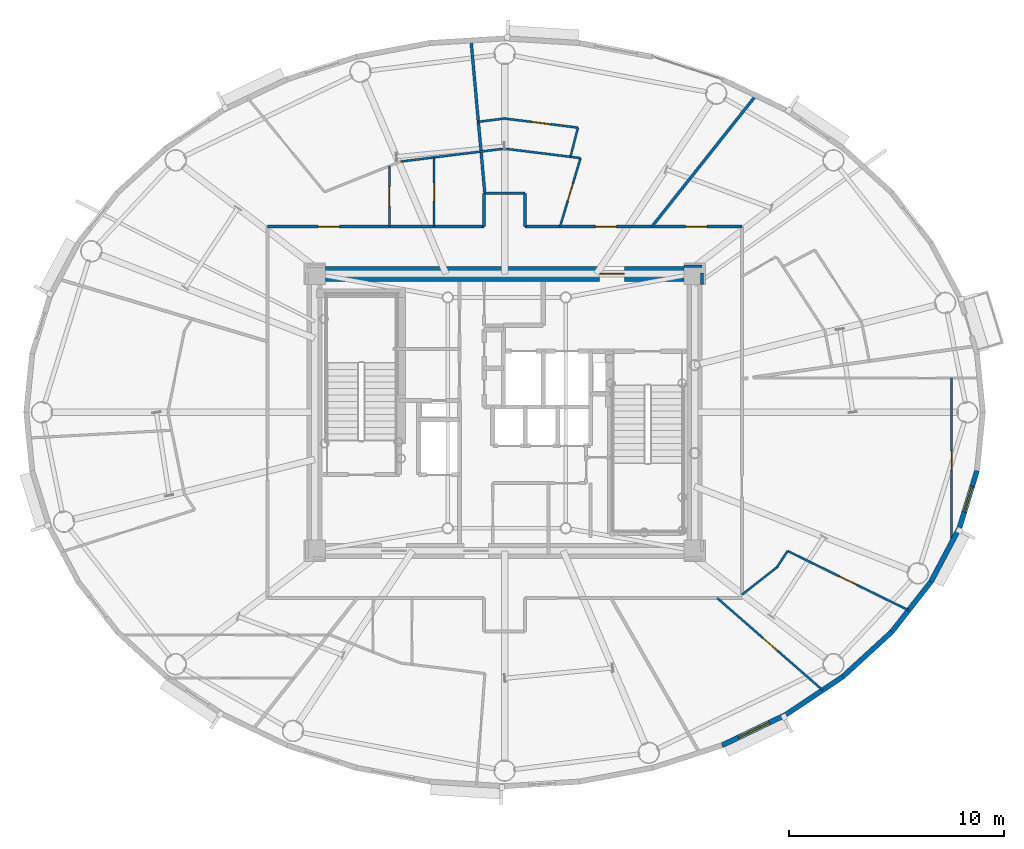
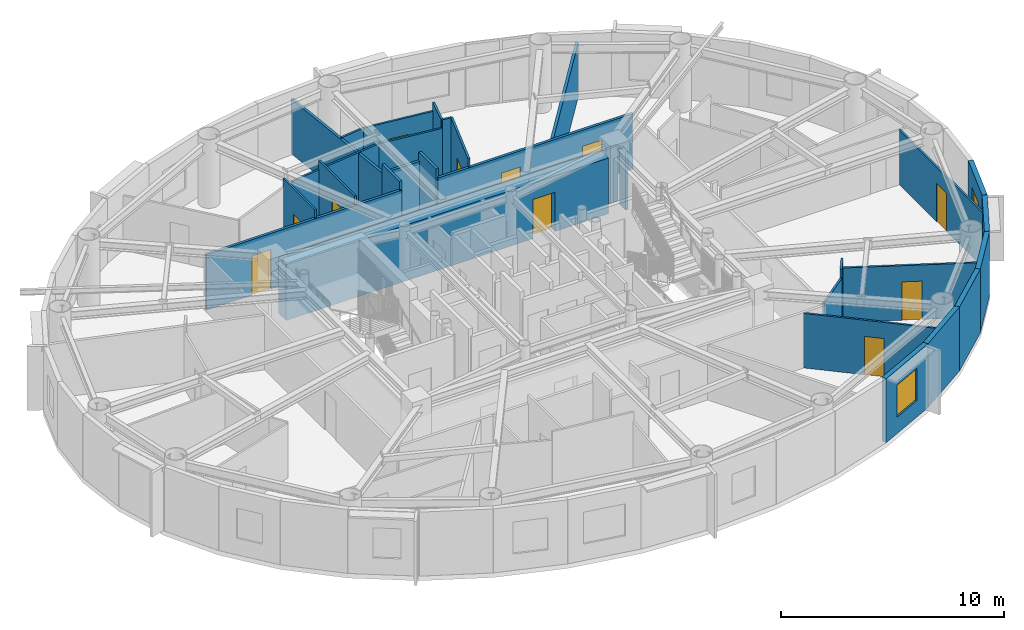
# One storey, part 10 of 18: 30 walls, 11 doors, 2 windows, 13 openings.
"""IFC4 building model written with IfcOpenShell, lengths in metres."""

from ifc_helpers import new_model, si_unit, direction, frame, frame_2d, origin, origin_2d, place, context, subcontext, project, spatial, rectangle, extrude, source, transform, mapped, material, layer, layer_set, type_object, element, fill, save


model = new_model("IFC4")

# Units and contexts
model_context = context("Model", 3, precision=1e-05, world=origin(), true_north=direction((0.0, 1.0)))
body_context = subcontext(model_context, "Body", "Model", "MODEL_VIEW")
ifc_project = project(units=[si_unit("LENGTHUNIT", "METRE"), si_unit("AREAUNIT", "SQUARE_METRE"), si_unit("VOLUMEUNIT", "CUBIC_METRE"), si_unit("PLANEANGLEUNIT", "RADIAN"), si_unit("MASSUNIT", "GRAM", prefix="KILO")], contexts=[model_context])

# Site, building, storey
site_placement = place(None, origin())
site = spatial("IfcSite", under=ifc_project, at=site_placement, CompositionType="ELEMENT")
building_placement = place(site_placement, origin())
building = spatial("IfcBuilding", under=site, at=building_placement, Name="Linh Dai School and Residence Tower", CompositionType="ELEMENT")
storey_placement = place(building_placement, frame((0.0, 0.0, 273.0)))
storey = spatial("IfcBuildingStorey", under=building, at=storey_placement, Name="L67", CompositionType="ELEMENT", Elevation=273.0)

# Wall, opening, window
ifc_material_1 = material(Name="Precast Concrete B45 (C35/45)", Category="concrete")
ifc_layer_1 = layer(ifc_material_1, 0.239990234375)
ifc_layer_set_1 = layer_set([ifc_layer_1], Name="Precast Concrete B45 (C35/45)")
wall_type_1 = type_object("IfcWallType", Name="EW-TC-240", PredefinedType="SOLIDWALL", material=ifc_layer_set_1)
wall_1_placement = place(storey_placement, frame((49.1044921875, 12.91845703125, 0.0), z_axis=(0.0, 0.0, 1.0), x_axis=(-0.901573741254, -0.43262546051, 0.0)))
wall_1 = element("IfcWall", 1, at=wall_1_placement, inside=storey, type_object=wall_type_1, Name="L67 Terracotta Exterior Wall 34", PredefinedType="SOLIDWALL", context=body_context, shape_type="SweptSolid", body=[
    extrude(rectangle(XDim=3.306884765625, YDim=0.239990234375, at=frame_2d((1.6533203125, 0.0))), origin(), (0.0, 0.0, 1.0), 3.5),
])
opening_1_placement = place(wall_1_placement, frame((0.853515625, 0.0, 0.89990234375)))
opening_1 = element("IfcOpeningElement", 2, at=opening_1_placement, cuts=wall_1, Name="Opening W2", PredefinedType="OPENING", context=body_context, shape_type="SweptSolid", body=[
    extrude(rectangle(XDim=1.60009765625, YDim=1.75, at=origin_2d()), frame((0.800048828125, 0.1298828125, 0.875), z_axis=(0.0, -1.0, 0.0), x_axis=(1.0, 0.0, 0.0)), (0.0, 0.0, 1.0), 0.260009765625),
])
ifc_material_2 = material(Name="Double Low-E Insulated Glazing", Category="glass")
window_type_1 = type_object("IfcWindowType", Name="WN-RES-1600x1750", PartitioningType="DOUBLE_PANEL_VERTICAL", PredefinedType="WINDOW", material=ifc_material_2)
shared_shape_1 = source(origin(), body_context, "Body", "SweptSolid", [
    extrude(rectangle(XDim=1.60009765625, YDim=1.75, at=origin_2d()), frame((0.800048828125, 0.030029296875, 0.875), z_axis=(0.0, -1.0, 0.0), x_axis=(1.0, 0.0, 0.0)), (0.0, 0.0, 1.0), 0.06005859375),
])
window_1_placement = place(opening_1_placement, origin())
window_1 = element("IfcWindow", 3, at=window_1_placement, inside=storey, type_object=window_type_1, Name="L67 Exterior Window 34.1", OverallHeight=1.75, OverallWidth=1.60009765625, PartitioningType="DOUBLE_PANEL_VERTICAL", PredefinedType="WINDOW", context=body_context, shape_type="MappedRepresentation", body=[
    mapped(shared_shape_1, transform((0.0, 0.0, 0.0), x_axis=(1.0, 0.0, 0.0), y_axis=(0.0, 1.0, 0.0), z_axis=(0.0, 0.0, 1.0), scale=1.0)),
])
fill(opening_1, window_1)

# Walls
wall_2_placement = place(storey_placement, frame((51.76220703125, 14.69580078125, 0.0), z_axis=(0.0, 0.0, 1.0), x_axis=(-0.831250592635, -0.55589787933, 0.0)))
element("IfcWall", 4, at=wall_2_placement, inside=storey, type_object=wall_type_1, Name="L67 Terracotta Exterior Wall 35", PredefinedType="SOLIDWALL", context=body_context, shape_type="SweptSolid", body=[
    extrude(rectangle(XDim=3.197265625, YDim=0.239990234375, at=frame_2d((1.5986328125, 0.0))), origin(), (0.0, 0.0, 1.0), 3.5),
])
wall_3_placement = place(storey_placement, frame((54.0302734375, 16.775390625, 0.0), z_axis=(0.0, 0.0, 1.0), x_axis=(-0.737068506972, -0.675818034703, 0.0)))
element("IfcWall", 5, at=wall_3_placement, inside=storey, type_object=wall_type_1, Name="L67 Terracotta Exterior Wall 36", PredefinedType="SOLIDWALL", context=body_context, shape_type="SweptSolid", body=[
    extrude(rectangle(XDim=3.0771484375, YDim=0.239990234375, at=frame_2d((1.53857421875, 0.0))), origin(), (0.0, 0.0, 1.0), 3.5),
])
wall_4_placement = place(storey_placement, frame((55.853759765625, 19.105224609375, 0.0), z_axis=(0.0, 0.0, 1.0), x_axis=(-0.616337186556, -0.787482363275, 0.0)))
element("IfcWall", 6, at=wall_4_placement, inside=storey, type_object=wall_type_1, Name="L67 Terracotta Exterior Wall 37", PredefinedType="SOLIDWALL", context=body_context, shape_type="SweptSolid", body=[
    extrude(rectangle(XDim=2.95849609375, YDim=0.239990234375, at=frame_2d((1.479248046875, 0.0))), origin(), (0.0, 0.0, 1.0), 3.5),
])
wall_5_placement = place(storey_placement, frame((57.188232421875, 21.627685546875, 0.0), z_axis=(0.0, 0.0, 1.0), x_axis=(-0.467628269026, -0.883925224218, 0.0)))
element("IfcWall", 7, at=wall_5_placement, inside=storey, type_object=wall_type_1, Name="L67 Terracotta Exterior Wall 38", PredefinedType="SOLIDWALL", context=body_context, shape_type="SweptSolid", body=[
    extrude(rectangle(XDim=2.853759765625, YDim=0.239990234375, at=frame_2d((1.4267578125, 0.0))), origin(), (0.0, 0.0, 1.0), 3.5),
])

# Wall, opening, window
wall_6_placement = place(storey_placement, frame((58.001708984375, 24.281005859375, 0.0), z_axis=(0.0, 0.0, 1.0), x_axis=(-0.2931213403, -0.956075248012, 0.0)))
wall_6 = element("IfcWall", 8, at=wall_6_placement, inside=storey, type_object=wall_type_1, Name="L67 Terracotta Exterior Wall 39", PredefinedType="SOLIDWALL", context=body_context, shape_type="SweptSolid", body=[
    extrude(rectangle(XDim=2.775146484375, YDim=0.239990234375, at=frame_2d((1.3876953125, 0.0))), origin(), (0.0, 0.0, 1.0), 3.5),
])
opening_2_placement = place(wall_6_placement, frame((0.7626953125, 0.0, 0.89990234375)))
opening_2 = element("IfcOpeningElement", 9, at=opening_2_placement, cuts=wall_6, Name="Opening W3", PredefinedType="OPENING", context=body_context, shape_type="SweptSolid", body=[
    extrude(rectangle(XDim=1.25, YDim=1.64990234375, at=origin_2d()), frame((0.625, 0.1298828125, 0.824951171875), z_axis=(0.0, -1.0, 0.0), x_axis=(1.0, 0.0, 0.0)), (0.0, 0.0, 1.0), 0.260009765625),
])
window_type_2 = type_object("IfcWindowType", Name="WN-RES-1250x1650", PartitioningType="SINGLE_PANEL", PredefinedType="WINDOW", material=ifc_material_2)
shared_shape_2 = source(origin(), body_context, "Body", "SweptSolid", [
    extrude(rectangle(XDim=1.25, YDim=1.64990234375, at=origin_2d()), frame((0.625, 0.030029296875, 0.824951171875), z_axis=(0.0, -1.0, 0.0), x_axis=(1.0, 0.0, 0.0)), (0.0, 0.0, 1.0), 0.06005859375),
])
window_2_placement = place(opening_2_placement, origin())
window_2 = element("IfcWindow", 10, at=window_2_placement, inside=storey, type_object=window_type_2, Name="L67 Exterior Window 39.1", OverallHeight=1.64990234375, OverallWidth=1.25, PartitioningType="SINGLE_PANEL", PredefinedType="WINDOW", context=body_context, shape_type="MappedRepresentation", body=[
    mapped(shared_shape_2, transform((0.0, 0.0, 0.0), x_axis=(1.0, 0.0, 0.0), y_axis=(0.0, 1.0, 0.0), z_axis=(0.0, 0.0, 1.0), scale=1.0)),
])
fill(opening_2, window_2)

# Wall, opening, door
ifc_material_3 = material(Name="Autoclaved Aerated Concrete Blockwork", Category="masonry")
ifc_layer_2 = layer(ifc_material_3, 0.135009765625)
ifc_layer_set_2 = layer_set([ifc_layer_2], Name="Autoclaved Aerated Concrete Blockwork")
wall_type_2 = type_object("IfcWallType", Name="IW-CORR-135-EI90", PredefinedType="PARTITIONING", material=ifc_layer_set_2)
wall_7_placement = place(storey_placement, frame((24.949951171875, 35.64990234375, 0.0), z_axis=(0.0, 0.0, 1.0), x_axis=(1.0, 0.0, 0.0)))
wall_7 = element("IfcWall", 11, at=wall_7_placement, inside=storey, type_object=wall_type_2, Name="L67 Interior Partition Wall 015", PredefinedType="PARTITIONING", context=body_context, shape_type="SweptSolid", body=[
    extrude(rectangle(XDim=10.10009765625, YDim=0.135009765625, at=frame_2d((5.050048828125, 0.0))), origin(), (0.0, 0.0, 1.0), 3.034912109375),
])
opening_3_placement = place(wall_7_placement, frame((2.361572265625, 0.0, 0.0)))
opening_3 = element("IfcOpeningElement", 12, at=opening_3_placement, cuts=wall_7, Name="Opening D03", PredefinedType="OPENING", context=body_context, shape_type="SweptSolid", body=[
    extrude(rectangle(XDim=1.0, YDim=2.14990234375, at=origin_2d()), frame((0.5, 0.07763671875, 1.074951171875), z_axis=(0.0, -1.0, 0.0), x_axis=(1.0, 0.0, 0.0)), (0.0, 0.0, 1.0), 0.155029296875),
])
ifc_material_4 = material(Name="Fire-Rated Solid Timber Entrance Door", Category="wood")
door_type_1 = type_object("IfcDoorType", Name="DR-FLAT-1000x2150-FD60S", OperationType="NOTDEFINED", PredefinedType="DOOR", material=ifc_material_4)
shared_shape_3 = source(origin(), body_context, "Body", "SweptSolid", [
    extrude(rectangle(XDim=1.0, YDim=2.14990234375, at=origin_2d()), frame((0.5, 0.02490234375, 1.074951171875), z_axis=(0.0, -1.0, 0.0), x_axis=(1.0, 0.0, 0.0)), (0.0, 0.0, 1.0), 0.050048828125),
])
door_1_placement = place(opening_3_placement, origin())
door_1 = element("IfcDoor", 13, at=door_1_placement, inside=storey, type_object=door_type_1, Name="L67 U6703 Apartment Entrance Door", OperationType="SINGLE_SWING_LEFT", OverallHeight=2.14990234375, OverallWidth=1.0, PredefinedType="DOOR", context=body_context, shape_type="MappedRepresentation", body=[
    mapped(shared_shape_3, transform((0.0, 0.0, 0.0), x_axis=(1.0, 0.0, 0.0), y_axis=(0.0, 1.0, 0.0), z_axis=(0.0, 0.0, 1.0), scale=1.0)),
])
fill(opening_3, door_1)

# Walls
wall_8_placement = place(storey_placement, frame((34.436279296875, 44.32373046875, 0.0), z_axis=(0.0, 0.0, 1.0), x_axis=(0.089904837352, -0.99595036032, 0.0)))
element("IfcWall", 14, at=wall_8_placement, inside=storey, type_object=wall_type_2, Name="L67 Interior Partition Wall 033", PredefinedType="PARTITIONING", context=body_context, shape_type="SweptSolid", body=[
    extrude(rectangle(XDim=7.15283203125, YDim=0.135009765625, at=frame_2d((3.576416015625, 0.0))), origin(), (0.0, 0.0, 1.0), 2.985107421875),
])
wall_9_placement = place(storey_placement, frame((35.050048828125, 35.64990234375, 0.0), z_axis=(0.0, 0.0, 1.0), x_axis=(0.0, 1.0, 0.0)))
element("IfcWall", 15, at=wall_9_placement, inside=storey, type_object=wall_type_2, Name="L67 Interior Partition Wall 044", PredefinedType="PARTITIONING", context=body_context, shape_type="SweptSolid", body=[
    extrude(rectangle(XDim=1.550048828125, YDim=0.135009765625, at=frame_2d((0.77490234375, 0.0))), origin(), (0.0, 0.0, 1.0), 3.5),
])
wall_10_placement = place(storey_placement, frame((35.079345703125, 37.199951171875, 0.0), z_axis=(0.0, 0.0, 1.0), x_axis=(1.0, 0.0, 0.0)))
element("IfcWall", 16, at=wall_10_placement, inside=storey, type_object=wall_type_2, Name="L67 Interior Partition Wall 045", PredefinedType="PARTITIONING", context=body_context, shape_type="SweptSolid", body=[
    extrude(rectangle(XDim=1.87060546875, YDim=0.135009765625, at=frame_2d((0.935302734375, 0.0))), origin(), (0.0, 0.0, 1.0), 3.034912109375),
])
wall_11_placement = place(storey_placement, frame((36.949951171875, 35.64990234375, 0.0), z_axis=(0.0, 0.0, 1.0), x_axis=(0.0, 1.0, 0.0)))
element("IfcWall", 17, at=wall_11_placement, inside=storey, type_object=wall_type_2, Name="L67 Interior Partition Wall 057", PredefinedType="PARTITIONING", context=body_context, shape_type="SweptSolid", body=[
    extrude(rectangle(XDim=1.550048828125, YDim=0.135009765625, at=frame_2d((0.77490234375, 0.0))), origin(), (0.0, 0.0, 1.0), 3.5),
])

# Wall, openings, doors
wall_12_placement = place(storey_placement, frame((36.949951171875, 35.64990234375, 0.0), z_axis=(0.0, 0.0, 1.0), x_axis=(1.0, 0.0, 0.0)))
wall_12 = element("IfcWall", 18, at=wall_12_placement, inside=storey, type_object=wall_type_2, Name="L67 Interior Partition Wall 058", PredefinedType="PARTITIONING", context=body_context, shape_type="SweptSolid", body=[
    extrude(rectangle(XDim=10.10009765625, YDim=0.135009765625, at=frame_2d((5.050048828125, 0.0))), origin(), (0.0, 0.0, 1.0), 3.034912109375),
])
opening_4_placement = place(wall_12_placement, frame((7.485595703125, 0.0, 0.0)))
opening_4 = element("IfcOpeningElement", 19, at=opening_4_placement, cuts=wall_12, Name="Opening D03", PredefinedType="OPENING", context=body_context, shape_type="SweptSolid", body=[
    extrude(rectangle(XDim=1.0, YDim=2.14990234375, at=origin_2d()), frame((0.5, 0.07763671875, 1.074951171875), z_axis=(0.0, -1.0, 0.0), x_axis=(1.0, 0.0, 0.0)), (0.0, 0.0, 1.0), 0.155029296875),
])
opening_5_placement = place(wall_12_placement, frame((3.2724609375, 0.0, 0.0)))
opening_5 = element("IfcOpeningElement", 20, at=opening_5_placement, cuts=wall_12, Name="Opening D03", PredefinedType="OPENING", context=body_context, shape_type="SweptSolid", body=[
    extrude(rectangle(XDim=1.0, YDim=2.14990234375, at=origin_2d()), frame((0.5, 0.07763671875, 1.074951171875), z_axis=(0.0, -1.0, 0.0), x_axis=(1.0, 0.0, 0.0)), (0.0, 0.0, 1.0), 0.155029296875),
])
door_2_placement = place(opening_4_placement, origin())
door_2 = element("IfcDoor", 21, at=door_2_placement, inside=storey, type_object=door_type_1, Name="L67 U6701 Apartment Entrance Door", OperationType="SINGLE_SWING_LEFT", OverallHeight=2.14990234375, OverallWidth=1.0, PredefinedType="DOOR", context=body_context, shape_type="MappedRepresentation", body=[
    mapped(shared_shape_3, transform((0.0, 0.0, 0.0), x_axis=(1.0, 0.0, 0.0), y_axis=(0.0, 1.0, 0.0), z_axis=(0.0, 0.0, 1.0), scale=1.0)),
])
fill(opening_4, door_2)
door_3_placement = place(opening_5_placement, origin())
door_3 = element("IfcDoor", 22, at=door_3_placement, inside=storey, type_object=door_type_1, Name="L67 U6702 Apartment Entrance Door", OperationType="SINGLE_SWING_RIGHT", OverallHeight=2.14990234375, OverallWidth=1.0, PredefinedType="DOOR", context=body_context, shape_type="MappedRepresentation", body=[
    mapped(shared_shape_3, transform((0.0, 0.0, 0.0), x_axis=(1.0, 0.0, 0.0), y_axis=(0.0, 1.0, 0.0), z_axis=(0.0, 0.0, 1.0), scale=1.0)),
])
fill(opening_5, door_3)

# Walls
wall_13_placement = place(storey_placement, frame((42.861083984375, 35.64990234375, 0.0), z_axis=(0.0, 0.0, 1.0), x_axis=(0.621439784824, 0.783461928774, 0.0)))
element("IfcWall", 23, at=wall_13_placement, inside=storey, type_object=wall_type_2, Name="L67 Interior Partition Wall 074", PredefinedType="PARTITIONING", context=body_context, shape_type="SweptSolid", body=[
    extrude(rectangle(XDim=7.79638671875, YDim=0.135009765625, at=frame_2d((3.898193359375, 0.0))), origin(), (0.0, 0.0, 1.0), 2.985107421875),
])
wall_14_placement = place(storey_placement, frame((45.199951171875, 33.800048828125, 0.0), z_axis=(0.0, 0.0, 1.0), x_axis=(-1.0, 0.0, 0.0)))
element("IfcWall", 24, at=wall_14_placement, inside=storey, type_object=wall_type_2, Name="L67 Interior Partition Wall 092", PredefinedType="PARTITIONING", context=body_context, shape_type="SweptSolid", body=[
    extrude(rectangle(XDim=0.83984375, YDim=0.135009765625, at=frame_2d((0.419921875, 0.0))), origin(), (0.0, 0.0, 1.0), 3.034912109375),
])
wall_15_placement = place(storey_placement, frame((45.199951171875, 32.9599609375, 0.0), z_axis=(0.0, 0.0, 1.0), x_axis=(0.0, 1.0, 0.0)))
element("IfcWall", 25, at=wall_15_placement, inside=storey, type_object=wall_type_2, Name="L67 Interior Partition Wall 099", PredefinedType="PARTITIONING", context=body_context, shape_type="SweptSolid", body=[
    extrude(rectangle(XDim=0.532470703125, YDim=0.135009765625, at=frame_2d((0.26611328125, 0.0))), origin(), (0.0, 0.0, 1.0), 3.18505859375),
])

# Wall, opening, door
ifc_material_5 = material(Name="Gypsum Plasterboard Acoustic Stud Partition", Category="masonry")
ifc_layer_3 = layer(ifc_material_5, 0.10009765625)
ifc_layer_set_3 = layer_set([ifc_layer_3], Name="Gypsum Plasterboard Acoustic Stud Partition")
wall_type_3 = type_object("IfcWallType", Name="IW-UNIT-100", PredefinedType="PARTITIONING", material=ifc_layer_set_3)
wall_16_placement = place(storey_placement, frame((30.633056640625, 35.64990234375, 0.0), z_axis=(0.0, 0.0, 1.0), x_axis=(0.0, 1.0, 0.0)))
wall_16 = element("IfcWall", 26, at=wall_16_placement, inside=storey, type_object=wall_type_3, Name="L67 Interior Partition Wall 020", PredefinedType="PARTITIONING", context=body_context, shape_type="SweptSolid", body=[
    extrude(rectangle(XDim=2.819091796875, YDim=0.10009765625, at=frame_2d((1.40966796875, 0.0))), origin(), (0.0, 0.0, 1.0), 3.5),
])
opening_6_placement = place(wall_16_placement, frame((0.95947265625, 0.0, 0.0)))
opening_6 = element("IfcOpeningElement", 27, at=opening_6_placement, cuts=wall_16, Name="Opening D05", PredefinedType="OPENING", context=body_context, shape_type="SweptSolid", body=[
    extrude(rectangle(XDim=0.89990234375, YDim=2.10009765625, at=origin_2d()), frame((0.449951171875, 0.06005859375, 1.050048828125), z_axis=(0.0, -1.0, 0.0), x_axis=(1.0, 0.0, 0.0)), (0.0, 0.0, 1.0), 0.1201171875),
])
ifc_material_6 = material(Name="Engineered Timber Internal Door", Category="wood")
door_type_2 = type_object("IfcDoorType", Name="DR-INT-900x2100", OperationType="NOTDEFINED", PredefinedType="DOOR", material=ifc_material_6)
shared_shape_4 = source(origin(), body_context, "Body", "SweptSolid", [
    extrude(rectangle(XDim=0.89990234375, YDim=2.10009765625, at=origin_2d()), frame((0.449951171875, 0.02490234375, 1.050048828125), z_axis=(0.0, -1.0, 0.0), x_axis=(1.0, 0.0, 0.0)), (0.0, 0.0, 1.0), 0.050048828125),
])
door_4_placement = place(opening_6_placement, origin())
door_4 = element("IfcDoor", 28, at=door_4_placement, inside=storey, type_object=door_type_2, Name="L67 Apartment U6703 Kitchen Door", OperationType="SINGLE_SWING_LEFT", OverallHeight=2.10009765625, OverallWidth=0.89990234375, PredefinedType="DOOR", context=body_context, shape_type="MappedRepresentation", body=[
    mapped(shared_shape_4, transform((0.0, 0.0, 0.0), x_axis=(1.0, 0.0, 0.0), y_axis=(0.0, 1.0, 0.0), z_axis=(0.0, 0.0, 1.0), scale=1.0)),
])
fill(opening_6, door_4)

# Wall
wall_17_placement = place(storey_placement, frame((31.154541015625, 38.677001953125, 0.0), z_axis=(0.0, 0.0, 1.0), x_axis=(0.99239360053, 0.123105408601, 0.0)))
element("IfcWall", 29, at=wall_17_placement, inside=storey, type_object=wall_type_3, Name="L67 Interior Partition Wall 025", PredefinedType="PARTITIONING", context=body_context, shape_type="SweptSolid", body=[
    extrude(rectangle(XDim=4.882568359375, YDim=0.10009765625, at=frame_2d((2.44140625, 0.0))), origin(), (0.0, 0.0, 1.0), 3.034912109375),
])

# Wall, opening, door
wall_18_placement = place(storey_placement, frame((32.714111328125, 35.64990234375, 0.0), z_axis=(0.0, 0.0, 1.0), x_axis=(0.0, 1.0, 0.0)))
wall_18 = element("IfcWall", 30, at=wall_18_placement, inside=storey, type_object=wall_type_3, Name="L67 Interior Partition Wall 030", PredefinedType="PARTITIONING", context=body_context, shape_type="SweptSolid", body=[
    extrude(rectangle(XDim=3.220703125, YDim=0.10009765625, at=frame_2d((1.6103515625, 0.0))), origin(), (0.0, 0.0, 1.0), 3.5),
])
opening_7_placement = place(wall_18_placement, frame((1.2001953125, 0.0, 0.0)))
opening_7 = element("IfcOpeningElement", 31, at=opening_7_placement, cuts=wall_18, Name="Opening D06", PredefinedType="OPENING", context=body_context, shape_type="SweptSolid", body=[
    extrude(rectangle(XDim=0.820068359375, YDim=2.10009765625, at=origin_2d()), frame((0.41015625, 0.06005859375, 1.050048828125), z_axis=(0.0, -1.0, 0.0), x_axis=(1.0, 0.0, 0.0)), (0.0, 0.0, 1.0), 0.1201171875),
])
ifc_material_7 = material(Name="Moisture-Resistant Timber Bathroom Door", Category="wood")
door_type_3 = type_object("IfcDoorType", Name="DR-WET-820x2100", OperationType="NOTDEFINED", PredefinedType="DOOR", material=ifc_material_7)
shared_shape_5 = source(origin(), body_context, "Body", "SweptSolid", [
    extrude(rectangle(XDim=0.820068359375, YDim=2.10009765625, at=origin_2d()), frame((0.41015625, 0.02490234375, 1.050048828125), z_axis=(0.0, -1.0, 0.0), x_axis=(1.0, 0.0, 0.0)), (0.0, 0.0, 1.0), 0.050048828125),
])
door_5_placement = place(opening_7_placement, origin())
door_5 = element("IfcDoor", 32, at=door_5_placement, inside=storey, type_object=door_type_3, Name="L67 Apartment U6703 Bathroom 1 Door", OperationType="SINGLE_SWING_RIGHT", OverallHeight=2.10009765625, OverallWidth=0.820068359375, PredefinedType="DOOR", context=body_context, shape_type="MappedRepresentation", body=[
    mapped(shared_shape_5, transform((0.0, 0.0, 0.0), x_axis=(1.0, 0.0, 0.0), y_axis=(0.0, 1.0, 0.0), z_axis=(0.0, 0.0, 1.0), scale=1.0)),
])
fill(opening_7, door_5)

# Walls
wall_19_placement = place(storey_placement, frame((34.77880859375, 40.52978515625, 0.0), z_axis=(0.0, 0.0, 1.0), x_axis=(0.992405544762, 0.123009083917, 0.0)))
element("IfcWall", 33, at=wall_19_placement, inside=storey, type_object=wall_type_3, Name="L67 Interior Partition Wall 035", PredefinedType="PARTITIONING", context=body_context, shape_type="SweptSolid", body=[
    extrude(rectangle(XDim=1.23046875, YDim=0.10009765625, at=frame_2d((0.615234375, 0.0))), origin(), (0.0, 0.0, 1.0), 3.034912109375),
])
wall_20_placement = place(storey_placement, frame((36.0, 39.278076171875, 0.0), z_axis=(0.0, 0.0, 1.0), x_axis=(0.992394132602, -0.123101119315, 0.0)))
element("IfcWall", 34, at=wall_20_placement, inside=storey, type_object=wall_type_3, Name="L67 Interior Partition Wall 053", PredefinedType="PARTITIONING", context=body_context, shape_type="SweptSolid", body=[
    extrude(rectangle(XDim=3.08984375, YDim=0.10009765625, at=frame_2d((1.544921875, 0.0))), origin(), (0.0, 0.0, 1.0), 3.034912109375),
])

# Wall, opening, door
wall_21_placement = place(storey_placement, frame((36.0, 40.68115234375, 0.0), z_axis=(0.0, 0.0, 1.0), x_axis=(0.992395241541, -0.123092179145, 0.0)))
wall_21 = element("IfcWall", 35, at=wall_21_placement, inside=storey, type_object=wall_type_3, Name="L67 Interior Partition Wall 054", PredefinedType="PARTITIONING", context=body_context, shape_type="SweptSolid", body=[
    extrude(rectangle(XDim=3.443115234375, YDim=0.10009765625, at=frame_2d((1.7216796875, 0.0))), origin(), (0.0, 0.0, 1.0), 3.034912109375),
])
opening_8_placement = place(wall_21_placement, frame((1.271484375, 0.0, 0.0)))
opening_8 = element("IfcOpeningElement", 36, at=opening_8_placement, cuts=wall_21, Name="Opening D05", PredefinedType="OPENING", context=body_context, shape_type="SweptSolid", body=[
    extrude(rectangle(XDim=0.89990234375, YDim=2.10009765625, at=origin_2d()), frame((0.449951171875, 0.06005859375, 1.050048828125), z_axis=(0.0, -1.0, 0.0), x_axis=(1.0, 0.0, 0.0)), (0.0, 0.0, 1.0), 0.1201171875),
])
door_6_placement = place(opening_8_placement, origin())
door_6 = element("IfcDoor", 37, at=door_6_placement, inside=storey, type_object=door_type_2, Name="L67 Apartment U6702 Kitchen Door", OperationType="SINGLE_SWING_RIGHT", OverallHeight=2.10009765625, OverallWidth=0.89990234375, PredefinedType="DOOR", context=body_context, shape_type="MappedRepresentation", body=[
    mapped(shared_shape_4, transform((0.0, 0.0, 0.0), x_axis=(1.0, 0.0, 0.0), y_axis=(0.0, 1.0, 0.0), z_axis=(0.0, 0.0, 1.0), scale=1.0)),
])
fill(opening_8, door_6)

wall_22_placement = place(storey_placement, frame((38.583984375, 35.64990234375, 0.0), z_axis=(0.0, 0.0, 1.0), x_axis=(0.286190312746, 0.958172794902, 0.0)))
wall_22 = element("IfcWall", 38, at=wall_22_placement, inside=storey, type_object=wall_type_3, Name="L67 Interior Partition Wall 064", PredefinedType="PARTITIONING", context=body_context, shape_type="SweptSolid", body=[
    extrude(rectangle(XDim=3.32861328125, YDim=0.10009765625, at=frame_2d((1.664306640625, 0.0))), origin(), (0.0, 0.0, 1.0), 3.5),
])
opening_9_placement = place(wall_22_placement, frame((1.25439453125, 0.0, 0.0)))
opening_9 = element("IfcOpeningElement", 39, at=opening_9_placement, cuts=wall_22, Name="Opening D06", PredefinedType="OPENING", context=body_context, shape_type="SweptSolid", body=[
    extrude(rectangle(XDim=0.820068359375, YDim=2.10009765625, at=origin_2d()), frame((0.41015625, 0.06005859375, 1.050048828125), z_axis=(0.0, -1.0, 0.0), x_axis=(1.0, 0.0, 0.0)), (0.0, 0.0, 1.0), 0.1201171875),
])
door_7_placement = place(opening_9_placement, origin())
door_7 = element("IfcDoor", 40, at=door_7_placement, inside=storey, type_object=door_type_3, Name="L67 Apartment U6702 Bathroom Door", OperationType="SINGLE_SWING_LEFT", OverallHeight=2.10009765625, OverallWidth=0.820068359375, PredefinedType="DOOR", context=body_context, shape_type="MappedRepresentation", body=[
    mapped(shared_shape_5, transform((0.0, 0.0, 0.0), x_axis=(1.0, 0.0, 0.0), y_axis=(0.0, 1.0, 0.0), z_axis=(0.0, 0.0, 1.0), scale=1.0)),
])
fill(opening_9, door_7)

# Walls
wall_23_placement = place(storey_placement, frame((39.06640625, 38.897705078125, 0.0), z_axis=(0.0, 0.0, 1.0), x_axis=(0.249688699354, 0.968326160658, 0.0)))
element("IfcWall", 41, at=wall_23_placement, inside=storey, type_object=wall_type_3, Name="L67 Interior Partition Wall 065", PredefinedType="PARTITIONING", context=body_context, shape_type="SweptSolid", body=[
    extrude(rectangle(XDim=1.404052734375, YDim=0.10009765625, at=frame_2d((0.7021484375, 0.0))), origin(), (0.0, 0.0, 1.0), 3.5),
])
wall_24_placement = place(storey_placement, frame((39.076416015625, 38.896484375, 0.0), z_axis=(0.0, 0.0, 1.0), x_axis=(0.99238281179, -0.12319234905, 0.0)))
element("IfcWall", 42, at=wall_24_placement, inside=storey, type_object=wall_type_3, Name="L67 Interior Partition Wall 066", PredefinedType="PARTITIONING", context=body_context, shape_type="SweptSolid", body=[
    extrude(rectangle(XDim=0.463623046875, YDim=0.10009765625, at=frame_2d((0.23193359375, 0.0))), origin(), (0.0, 0.0, 1.0), 3.5),
])

# Wall, opening, door
wall_25_placement = place(storey_placement, frame((45.90087890625, 18.35009765625, 0.0), z_axis=(0.0, 0.0, 1.0), x_axis=(0.753056223084, -0.657956172457, 0.0)))
wall_25 = element("IfcWall", 43, at=wall_25_placement, inside=storey, type_object=wall_type_3, Name="L67 Interior Partition Wall 075", PredefinedType="PARTITIONING", context=body_context, shape_type="SweptSolid", body=[
    extrude(rectangle(XDim=6.52587890625, YDim=0.10009765625, at=frame_2d((3.262939453125, 0.0))), origin(), (0.0, 0.0, 1.0), 2.985107421875),
])
opening_10_placement = place(wall_25_placement, frame((2.81298828125, 0.0, 0.0)))
opening_10 = element("IfcOpeningElement", 44, at=opening_10_placement, cuts=wall_25, Name="Opening D05", PredefinedType="OPENING", context=body_context, shape_type="SweptSolid", body=[
    extrude(rectangle(XDim=0.89990234375, YDim=2.10009765625, at=origin_2d()), frame((0.449951171875, 0.06005859375, 1.050048828125), z_axis=(0.0, -1.0, 0.0), x_axis=(1.0, 0.0, 0.0)), (0.0, 0.0, 1.0), 0.1201171875),
])
door_8_placement = place(opening_10_placement, origin())
door_8 = element("IfcDoor", 45, at=door_8_placement, inside=storey, type_object=door_type_2, Name="L67 Apartment U6706 Principal Bedroom 1 Door", OperationType="SINGLE_SWING_RIGHT", OverallHeight=2.10009765625, OverallWidth=0.89990234375, PredefinedType="DOOR", context=body_context, shape_type="MappedRepresentation", body=[
    mapped(shared_shape_4, transform((0.0, 0.0, 0.0), x_axis=(1.0, 0.0, 0.0), y_axis=(0.0, 1.0, 0.0), z_axis=(0.0, 0.0, 1.0), scale=1.0)),
])
fill(opening_10, door_8)

# Walls
wall_26_placement = place(storey_placement, frame((47.050048828125, 18.502685546875, 0.0), z_axis=(0.0, 0.0, 1.0), x_axis=(0.787328855274, 0.616533270516, 0.0)))
element("IfcWall", 46, at=wall_26_placement, inside=storey, type_object=wall_type_3, Name="L67 Interior Partition Wall 077", PredefinedType="PARTITIONING", context=body_context, shape_type="SweptSolid", body=[
    extrude(rectangle(XDim=2.076904296875, YDim=0.10009765625, at=frame_2d((1.03857421875, 0.0))), origin(), (0.0, 0.0, 1.0), 3.034912109375),
])
wall_27_placement = place(storey_placement, frame((48.685302734375, 19.783203125, 0.0), z_axis=(0.0, 0.0, 1.0), x_axis=(0.545519027777, 0.838098437138, 0.0)))
element("IfcWall", 47, at=wall_27_placement, inside=storey, type_object=wall_type_3, Name="L67 Interior Partition Wall 082", PredefinedType="PARTITIONING", context=body_context, shape_type="SweptSolid", body=[
    extrude(rectangle(XDim=0.9052734375, YDim=0.10009765625, at=frame_2d((0.45263671875, 0.0))), origin(), (0.0, 0.0, 1.0), 3.5),
])

# Wall, opening, door
wall_28_placement = place(storey_placement, frame((49.17919921875, 20.5419921875, 0.0), z_axis=(0.0, 0.0, 1.0), x_axis=(0.89799659679, -0.440002400167, 0.0)))
wall_28 = element("IfcWall", 48, at=wall_28_placement, inside=storey, type_object=wall_type_3, Name="L67 Interior Partition Wall 085", PredefinedType="PARTITIONING", context=body_context, shape_type="SweptSolid", body=[
    extrude(rectangle(XDim=6.28271484375, YDim=0.10009765625, at=frame_2d((3.141357421875, 0.0))), origin(), (0.0, 0.0, 1.0), 2.985107421875),
])
opening_11_placement = place(wall_28_placement, frame((2.69140625, 0.0, 0.0)))
opening_11 = element("IfcOpeningElement", 49, at=opening_11_placement, cuts=wall_28, Name="Opening D05", PredefinedType="OPENING", context=body_context, shape_type="SweptSolid", body=[
    extrude(rectangle(XDim=0.89990234375, YDim=2.10009765625, at=origin_2d()), frame((0.449951171875, 0.06005859375, 1.050048828125), z_axis=(0.0, -1.0, 0.0), x_axis=(1.0, 0.0, 0.0)), (0.0, 0.0, 1.0), 0.1201171875),
])
door_9_placement = place(opening_11_placement, origin())
door_9 = element("IfcDoor", 50, at=door_9_placement, inside=storey, type_object=door_type_2, Name="L67 Apartment U6706 Study Door", OperationType="SINGLE_SWING_LEFT", OverallHeight=2.10009765625, OverallWidth=0.89990234375, PredefinedType="DOOR", context=body_context, shape_type="MappedRepresentation", body=[
    mapped(shared_shape_4, transform((0.0, 0.0, 0.0), x_axis=(1.0, 0.0, 0.0), y_axis=(0.0, 1.0, 0.0), z_axis=(0.0, 0.0, 1.0), scale=1.0)),
])
fill(opening_11, door_9)

wall_29_placement = place(storey_placement, frame((56.818115234375, 20.917236328125, 0.0), z_axis=(0.0, 0.0, 1.0), x_axis=(0.0, 1.0, 0.0)))
wall_29 = element("IfcWall", 51, at=wall_29_placement, inside=storey, type_object=wall_type_3, Name="L67 Interior Partition Wall 089", PredefinedType="PARTITIONING", context=body_context, shape_type="SweptSolid", body=[
    extrude(rectangle(XDim=7.675048828125, YDim=0.10009765625, at=frame_2d((3.83740234375, 0.0))), origin(), (0.0, 0.0, 1.0), 2.985107421875),
])
opening_12_placement = place(wall_29_placement, frame((3.3876953125, 0.0, 0.0)))
opening_12 = element("IfcOpeningElement", 52, at=opening_12_placement, cuts=wall_29, Name="Opening D05", PredefinedType="OPENING", context=body_context, shape_type="SweptSolid", body=[
    extrude(rectangle(XDim=0.89990234375, YDim=2.10009765625, at=origin_2d()), frame((0.449951171875, 0.06005859375, 1.050048828125), z_axis=(0.0, -1.0, 0.0), x_axis=(1.0, 0.0, 0.0)), (0.0, 0.0, 1.0), 0.1201171875),
])
door_10_placement = place(opening_12_placement, origin())
door_10 = element("IfcDoor", 53, at=door_10_placement, inside=storey, type_object=door_type_2, Name="L67 Apartment U6706 Kitchen Door", OperationType="SINGLE_SWING_LEFT", OverallHeight=2.10009765625, OverallWidth=0.89990234375, PredefinedType="DOOR", context=body_context, shape_type="MappedRepresentation", body=[
    mapped(shared_shape_4, transform((0.0, 0.0, 0.0), x_axis=(1.0, 0.0, 0.0), y_axis=(0.0, 1.0, 0.0), z_axis=(0.0, 0.0, 1.0), scale=1.0)),
])
fill(opening_12, door_10)

ifc_material_8 = material(Name="Concrete B45 (C35/45)", Category="concrete")
ifc_layer_4 = layer(ifc_material_8, 0.699951171875)
ifc_layer_set_4 = layer_set([ifc_layer_4], Name="Concrete B45 (C35/45)")
wall_type_4 = type_object("IfcWallType", Name="WL-CORE700", PredefinedType="SHEAR", material=ifc_layer_set_4)
wall_30_placement = place(storey_placement, frame((27.64990234375, 33.449951171875, 0.0), z_axis=(0.0, 0.0, 1.0), x_axis=(1.0, 0.0, 0.0)))
wall_30 = element("IfcWall", 54, at=wall_30_placement, inside=storey, type_object=wall_type_4, Name="L67 Central Core Shear Wall N", PredefinedType="SHEAR", context=body_context, shape_type="SweptSolid", body=[
    extrude(rectangle(XDim=16.7001953125, YDim=0.699951171875, at=frame_2d((8.35009765625, 0.0))), origin(), (0.0, 0.0, 1.0), 3.050048828125),
])
opening_13_placement = place(wall_30_placement, frame((12.77490234375, 0.0, 0.0)))
opening_13 = element("IfcOpeningElement", 55, at=opening_13_placement, cuts=wall_30, Name="Opening D02", PredefinedType="OPENING", context=body_context, shape_type="SweptSolid", body=[
    extrude(rectangle(XDim=1.14990234375, YDim=2.14990234375, at=origin_2d()), frame((0.574951171875, 0.35986328125, 1.074951171875), z_axis=(0.0, -1.0, 0.0), x_axis=(1.0, 0.0, 0.0)), (0.0, 0.0, 1.0), 0.719970703125),
])
ifc_material_9 = material(Name="Fire-Rated Glazed Steel Lobby Door", Category="steel")
door_type_4 = type_object("IfcDoorType", Name="DR-LOBBY-1150x2150-FD90S", OperationType="NOTDEFINED", PredefinedType="DOOR", material=ifc_material_9)
shared_shape_6 = source(origin(), body_context, "Body", "SweptSolid", [
    extrude(rectangle(XDim=1.14990234375, YDim=2.14990234375, at=origin_2d()), frame((0.574951171875, 0.02490234375, 1.074951171875), z_axis=(0.0, -1.0, 0.0), x_axis=(1.0, 0.0, 0.0)), (0.0, 0.0, 1.0), 0.050048828125),
])
door_11_placement = place(opening_13_placement, origin())
door_11 = element("IfcDoor", 56, at=door_11_placement, inside=storey, type_object=door_type_4, Name="L67 Firefighting Lobby Door", OperationType="SINGLE_SWING_LEFT", OverallHeight=2.14990234375, OverallWidth=1.14990234375, PredefinedType="DOOR", context=body_context, shape_type="MappedRepresentation", body=[
    mapped(shared_shape_6, transform((0.0, 0.0, 0.0), x_axis=(1.0, 0.0, 0.0), y_axis=(0.0, 1.0, 0.0), z_axis=(0.0, 0.0, 1.0), scale=1.0)),
])
fill(opening_13, door_11)

save(model, "model.ifc")
